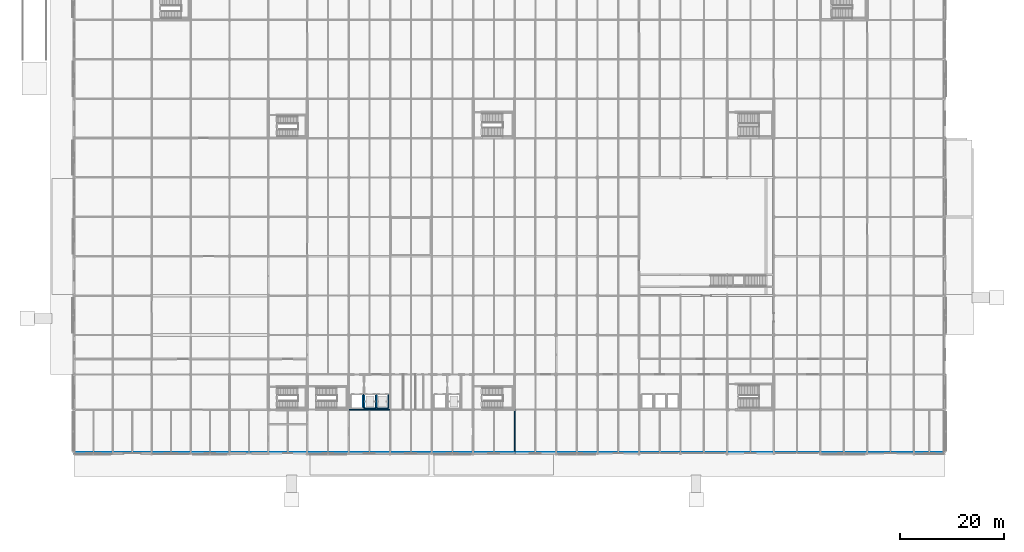
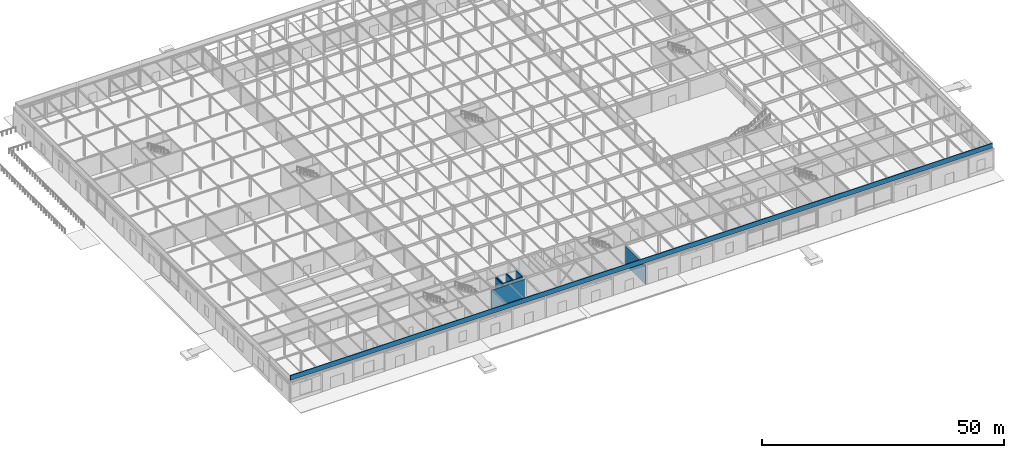
# One storey, part 63 of 89: 10 walls.
"""IFC4 building model written with IfcOpenShell, lengths in metres."""

from ifc_helpers import new_model, si_unit, direction, frame, frame_2d, origin, place, context, subcontext, project, spatial, rectangle, extrude, material, layer, layer_set, type_object, element, save


model = new_model("IFC4")

# Units and contexts
model_context = context("Model", 3, precision=1e-05, world=origin(), true_north=direction((0.0, 1.0)))
body_context = subcontext(model_context, "Body", "Model", "MODEL_VIEW")
ifc_project = project(units=[si_unit("LENGTHUNIT", "METRE"), si_unit("AREAUNIT", "SQUARE_METRE"), si_unit("VOLUMEUNIT", "CUBIC_METRE"), si_unit("PLANEANGLEUNIT", "RADIAN"), si_unit("MASSUNIT", "GRAM", prefix="KILO")], contexts=[model_context])

# Site, building, storey
site_placement = place(None, origin())
site = spatial("IfcSite", under=ifc_project, at=site_placement, CompositionType="ELEMENT")
building_placement = place(site_placement, origin())
building = spatial("IfcBuilding", under=site, at=building_placement, Name="Shalkamar Park Central Library", CompositionType="ELEMENT")
storey_placement = place(building_placement, origin())
storey = spatial("IfcBuildingStorey", under=building, at=storey_placement, Name="L01", CompositionType="ELEMENT", Elevation=0.0)

# Walls
ifc_material_1 = material(Name="Fire-rated corridor partition wall", Category="masonry")
ifc_layer_1 = layer(ifc_material_1, 0.199951171875)
ifc_layer_set_1 = layer_set([ifc_layer_1], Name="CorridorFireWall_200")
wall_type_1 = type_object("IfcWallType", Name="Corridor Fire Wall 200", PredefinedType="PARTITIONING", material=ifc_layer_set_1)
wall_1_placement = place(storey_placement, frame((173.0, 248.39990234375, 0.0), z_axis=(0.0, 0.0, 1.0), x_axis=(1.0, 0.0, 0.0)))
element("IfcWall", 1, at=wall_1_placement, inside=storey, type_object=wall_type_1, Name="Interior Partition WL-INT-L01-026", PredefinedType="PARTITIONING", context=body_context, shape_type="SweptSolid", body=[
    extrude(rectangle(XDim=8.0, YDim=0.199951171875, at=frame_2d((4.0, 0.0))), origin(), (0.0, 0.0, 1.0), 4.637939453125),
])
wall_2_placement = place(storey_placement, frame((205.0, 240.0, 0.0), z_axis=(0.0, 0.0, 1.0), x_axis=(0.0, 1.0, 0.0)))
element("IfcWall", 2, at=wall_2_placement, inside=storey, type_object=wall_type_1, Name="Interior Partition WL-INT-L01-028", PredefinedType="PARTITIONING", context=body_context, shape_type="SweptSolid", body=[
    extrude(rectangle(XDim=8.39990234375, YDim=0.199951171875, at=frame_2d((4.199951171875, 0.0))), origin(), (0.0, 0.0, 1.0), 4.68798828125),
])
ifc_material_2 = material(Name="Concrete C40/50", Category="concrete")
ifc_layer_2 = layer(ifc_material_2, 0.219970703125)
ifc_layer_set_2 = layer_set([ifc_layer_2], Name="Concrete C40/50")
wall_type_2 = type_object("IfcWallType", Name="Lift Hoistway Shear Wall 220", PredefinedType="SHEAR", material=ifc_layer_set_2)
wall_3_placement = place(storey_placement, frame((175.699951171875, 248.64990234375, 0.0), z_axis=(0.0, 0.0, 1.0), x_axis=(0.0, 1.0, 0.0)))
element("IfcWall", 3, at=wall_3_placement, inside=storey, type_object=wall_type_2, Name="Lift FFL-01 Hoistway East Wall (L01)", PredefinedType="SHEAR", context=body_context, shape_type="SweptSolid", body=[
    extrude(rectangle(XDim=2.7001953125, YDim=0.219970703125, at=frame_2d((1.35009765625, 0.0))), origin(), (0.0, 0.0, 1.0), 5.139892578125),
])
wall_4_placement = place(storey_placement, frame((176.0, 248.64990234375, 0.0), z_axis=(0.0, 0.0, 1.0), x_axis=(1.0, 0.0, 0.0)))
element("IfcWall", 4, at=wall_4_placement, inside=storey, type_object=wall_type_2, Name="Lift LT-01 Hoistway South Wall (L01)", PredefinedType="SHEAR", context=body_context, shape_type="SweptSolid", body=[
    extrude(rectangle(XDim=2.199951171875, YDim=0.219970703125, at=frame_2d((1.10009765625, 0.0))), origin(), (0.0, 0.0, 1.0), 5.139892578125),
])
for number, where, z_axis, x_axis, name in (
    (5, (176.0, 248.64990234375, 0.0), (0.0, 0.0, 1.0), (0.0, 1.0, 0.0), "Lift LT-01 Hoistway West Wall (L01)"),
    (6, (178.199951171875, 248.64990234375, 0.0), (0.0, 0.0, 1.0), (0.0, 1.0, 0.0), "Lift LT-01 Hoistway East Wall (L01)"),
):
    element("IfcWall", number, at=place(storey_placement, frame(where, z_axis=z_axis, x_axis=x_axis)), inside=storey, type_object=wall_type_2, Name=name, PredefinedType="SHEAR", context=body_context, shape_type="SweptSolid", body=[
        extrude(rectangle(XDim=2.7001953125, YDim=0.219970703125, at=frame_2d((1.35009765625, 0.0))), origin(), (0.0, 0.0, 1.0), 5.139892578125),
    ])
wall_5_placement = place(storey_placement, frame((178.39990234375, 248.64990234375, 0.0), z_axis=(0.0, 0.0, 1.0), x_axis=(1.0, 0.0, 0.0)))
element("IfcWall", 7, at=wall_5_placement, inside=storey, type_object=wall_type_2, Name="Lift LT-02 Hoistway South Wall (L01)", PredefinedType="SHEAR", context=body_context, shape_type="SweptSolid", body=[
    extrude(rectangle(XDim=2.2001953125, YDim=0.219970703125, at=frame_2d((1.10009765625, 0.0))), origin(), (0.0, 0.0, 1.0), 5.139892578125),
])
for number, where, z_axis, x_axis, name in (
    (8, (178.39990234375, 248.64990234375, 0.0), (0.0, 0.0, 1.0), (0.0, 1.0, 0.0), "Lift LT-02 Hoistway West Wall (L01)"),
    (9, (180.60009765625, 248.64990234375, 0.0), (0.0, 0.0, 1.0), (0.0, 1.0, 0.0), "Lift LT-02 Hoistway East Wall (L01)"),
):
    element("IfcWall", number, at=place(storey_placement, frame(where, z_axis=z_axis, x_axis=x_axis)), inside=storey, type_object=wall_type_2, Name=name, PredefinedType="SHEAR", context=body_context, shape_type="SweptSolid", body=[
        extrude(rectangle(XDim=2.7001953125, YDim=0.219970703125, at=frame_2d((1.35009765625, 0.0))), origin(), (0.0, 0.0, 1.0), 5.139892578125),
    ])
ifc_material_3 = material(Name="Concrete C35/45 precast", Category="concrete")
ifc_layer_3 = layer(ifc_material_3, 0.179931640625)
ifc_layer_set_3 = layer_set([ifc_layer_3], Name="Concrete C35/45 precast")
wall_type_3 = type_object("IfcWallType", Name="Roof Parapet Wall 180", PredefinedType="PARAPET", material=ifc_layer_set_3)
wall_6_placement = place(storey_placement, frame((120.10009765625, 240.10009765625, 5.39990234375), z_axis=(0.0, 0.0, 1.0), x_axis=(1.0, 0.0, 0.0)))
element("IfcWall", 10, at=wall_6_placement, inside=storey, type_object=wall_type_3, Name="Roof Parapet Wall L01-01", PredefinedType="PARAPET", context=body_context, shape_type="SweptSolid", body=[
    extrude(rectangle(XDim=167.7998046875, YDim=0.179931640625, at=frame_2d((83.89990234375, 0.0))), origin(), (0.0, 0.0, 1.0), 1.2001953125),
])

save(model, "model.ifc")
